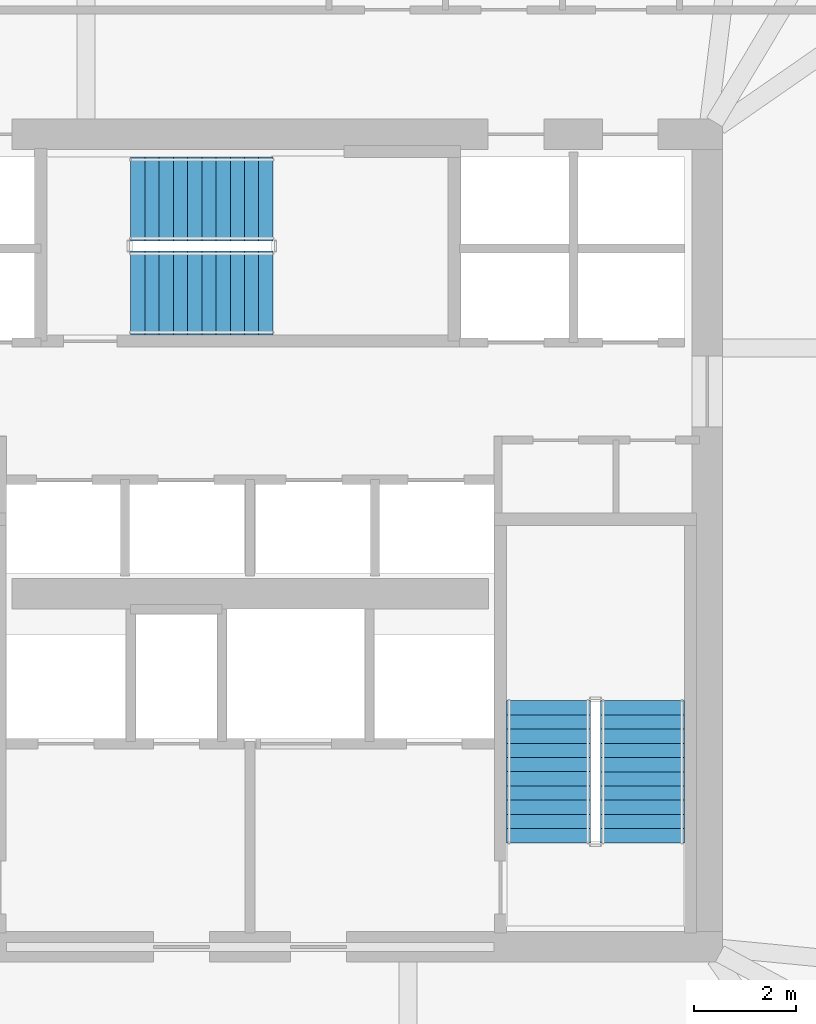
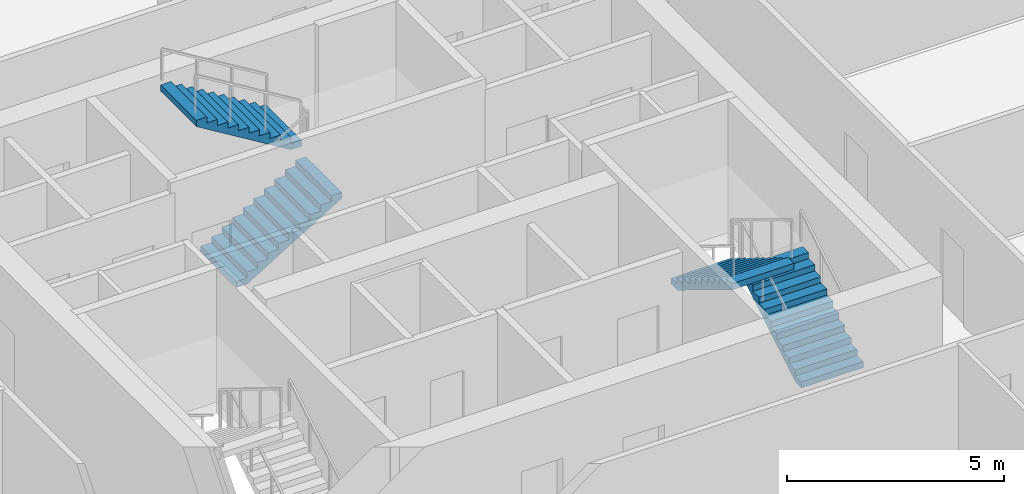
# One storey, part 29 of 34: 4 stair flights, 2 elements without a shape of their own.
"""IFC4 building model written with IfcOpenShell, lengths in metres."""

from ifc_helpers import new_model, si_unit, direction, frame, origin, place, context, subcontext, project, spatial, polyline, outline, extrude, material, type_object, element, aggregate, save


model = new_model("IFC4")

# Units and contexts
model_context = context("Model", 3, precision=1e-05, world=origin(), true_north=direction((0.0, 1.0)))
body_context = subcontext(model_context, "Body", "Model", "MODEL_VIEW")
ifc_project = project(units=[si_unit("LENGTHUNIT", "METRE"), si_unit("AREAUNIT", "SQUARE_METRE"), si_unit("VOLUMEUNIT", "CUBIC_METRE"), si_unit("PLANEANGLEUNIT", "RADIAN"), si_unit("MASSUNIT", "GRAM", prefix="KILO")], contexts=[model_context])

# Site, building, storey
site_placement = place(None, origin())
site = spatial("IfcSite", under=ifc_project, at=site_placement, CompositionType="ELEMENT")
building_placement = place(site_placement, origin())
building = spatial("IfcBuilding", under=site, at=building_placement, Name="Haldenkirk Collegiate Tower", CompositionType="ELEMENT")
storey_placement = place(building_placement, frame((0.0, 0.0, 62.699951171875)))
storey = spatial("IfcBuildingStorey", under=building, at=storey_placement, Name="L14", CompositionType="ELEMENT", Elevation=62.699951171875)

# Stair, stair flights
ifc_material = material(Name="Concrete f'c 40 MPa", Category="concrete")
stair_type = type_object("IfcStairType", Name="STR-DOGLEG-1650", PredefinedType="HALF_TURN_STAIR", material=ifc_material)
stair_1_placement = place(storey_placement, origin())
stair_1 = element("IfcStair", 1, at=stair_1_placement, inside=storey, type_object=stair_type, Name="L14 Core Exit Stair ST-2", PredefinedType="HALF_TURN_STAIR")
stair_flight_type = type_object("IfcStairFlightType", Name="STF-FLIGHT-1650", PredefinedType="STRAIGHT", material=ifc_material)
stair_flight_1_placement = place(storey_placement, frame((43.72509765625, 20.050048828125, 0.0), z_axis=(0.0, 0.0, 1.0), x_axis=(0.0, 1.0, 0.0)))
stair_flight_1 = element("IfcStairFlight", 2, at=stair_flight_1_placement, type_object=stair_flight_type, Name="ST-2 flight 1", NumberOfRisers=11, NumberOfTreads=10, PredefinedType="STRAIGHT", RiserHeight=0.170454545, TreadLength=0.28, context=body_context, shape_type="SweptSolid", body=[
    extrude(outline(polyline([(0.0, 0.0), (0.0, 0.17041015625), (0.280029296875, 0.17041015625), (0.280029296875, 0.3408203125), (0.56005859375, 0.3408203125), (0.56005859375, 0.511474609375), (0.840087890625, 0.511474609375), (0.840087890625, 0.681884765625), (1.1201171875, 0.681884765625), (1.1201171875, 0.852294921875), (1.39990234375, 0.852294921875), (1.39990234375, 1.022705078125), (1.679931640625, 1.022705078125), (1.679931640625, 1.193115234375), (1.9599609375, 1.193115234375), (1.9599609375, 1.363525390625), (2.239990234375, 1.363525390625), (2.239990234375, 1.5341796875), (2.52001953125, 1.5341796875), (2.52001953125, 1.70458984375), (2.800048828125, 1.70458984375), (2.800048828125, 1.875), (2.800048828125, 1.529052734375), (0.288330078125, 0.0), (0.0, 0.0)])), frame((0.0, 0.824951171875, 0.0), z_axis=(0.0, -1.0, 0.0), x_axis=(1.0, 0.0, 0.0)), (0.0, 0.0, 1.0), 1.64990234375),
])
stair_flight_2_placement = place(storey_placement, frame((41.875, 22.85009765625, 1.875), z_axis=(0.0, 0.0, 1.0), x_axis=(0.0, -1.0, 0.0)))
stair_flight_2 = element("IfcStairFlight", 3, at=stair_flight_2_placement, type_object=stair_flight_type, Name="ST-2 flight 2", NumberOfRisers=11, NumberOfTreads=10, PredefinedType="STRAIGHT", RiserHeight=0.170454545, TreadLength=0.28, context=body_context, shape_type="SweptSolid", body=[
    extrude(outline(polyline([(0.0, 0.0), (0.0, 0.17041015625), (0.280029296875, 0.17041015625), (0.280029296875, 0.3408203125), (0.56005859375, 0.3408203125), (0.56005859375, 0.511474609375), (0.840087890625, 0.511474609375), (0.840087890625, 0.681884765625), (1.1201171875, 0.681884765625), (1.1201171875, 0.852294921875), (1.39990234375, 0.852294921875), (1.39990234375, 1.022705078125), (1.679931640625, 1.022705078125), (1.679931640625, 1.193115234375), (1.9599609375, 1.193115234375), (1.9599609375, 1.363525390625), (2.239990234375, 1.363525390625), (2.239990234375, 1.5341796875), (2.52001953125, 1.5341796875), (2.52001953125, 1.70458984375), (2.800048828125, 1.70458984375), (2.800048828125, 1.875), (2.800048828125, 1.529052734375), (0.288330078125, 0.0), (0.0, 0.0)])), frame((0.0, 0.824951171875, 0.0), z_axis=(0.0, -1.0, 0.0), x_axis=(1.0, 0.0, 0.0)), (0.0, 0.0, 1.0), 1.64990234375),
])
aggregate(stair_1, [stair_flight_1, stair_flight_2])

stair_2_placement = place(storey_placement, origin())
stair_2 = element("IfcStair", 4, at=stair_2_placement, inside=storey, type_object=stair_type, Name="L14 Core Exit Stair ST-3", PredefinedType="HALF_TURN_STAIR")
stair_flight_3_placement = place(storey_placement, frame((33.64990234375, 30.875, 0.0), z_axis=(0.0, 0.0, 1.0), x_axis=(1.0, 0.0, 0.0)))
stair_flight_3 = element("IfcStairFlight", 5, at=stair_flight_3_placement, type_object=stair_flight_type, Name="ST-3 flight 1", NumberOfRisers=11, NumberOfTreads=10, PredefinedType="STRAIGHT", RiserHeight=0.170454545, TreadLength=0.28, context=body_context, shape_type="SweptSolid", body=[
    extrude(outline(polyline([(0.0, 0.0), (0.0, 0.17041015625), (0.280029296875, 0.17041015625), (0.280029296875, 0.3408203125), (0.56005859375, 0.3408203125), (0.56005859375, 0.511474609375), (0.840087890625, 0.511474609375), (0.840087890625, 0.681884765625), (1.1201171875, 0.681884765625), (1.1201171875, 0.852294921875), (1.39990234375, 0.852294921875), (1.39990234375, 1.022705078125), (1.679931640625, 1.022705078125), (1.679931640625, 1.193115234375), (1.9599609375, 1.193115234375), (1.9599609375, 1.363525390625), (2.239990234375, 1.363525390625), (2.239990234375, 1.5341796875), (2.52001953125, 1.5341796875), (2.52001953125, 1.70458984375), (2.800048828125, 1.70458984375), (2.800048828125, 1.875), (2.800048828125, 1.529052734375), (0.288330078125, 0.0), (0.0, 0.0)])), frame((0.0, 0.824951171875, 0.0), z_axis=(0.0, -1.0, 0.0), x_axis=(1.0, 0.0, 0.0)), (0.0, 0.0, 1.0), 1.64990234375),
])
stair_flight_4_placement = place(storey_placement, frame((36.449951171875, 32.72509765625, 1.875), z_axis=(0.0, 0.0, 1.0), x_axis=(-1.0, 0.0, 0.0)))
stair_flight_4 = element("IfcStairFlight", 6, at=stair_flight_4_placement, type_object=stair_flight_type, Name="ST-3 flight 2", NumberOfRisers=11, NumberOfTreads=10, PredefinedType="STRAIGHT", RiserHeight=0.170454545, TreadLength=0.28, context=body_context, shape_type="SweptSolid", body=[
    extrude(outline(polyline([(0.0, 0.0), (0.0, 0.17041015625), (0.280029296875, 0.17041015625), (0.280029296875, 0.3408203125), (0.56005859375, 0.3408203125), (0.56005859375, 0.511474609375), (0.840087890625, 0.511474609375), (0.840087890625, 0.681884765625), (1.1201171875, 0.681884765625), (1.1201171875, 0.852294921875), (1.39990234375, 0.852294921875), (1.39990234375, 1.022705078125), (1.679931640625, 1.022705078125), (1.679931640625, 1.193115234375), (1.9599609375, 1.193115234375), (1.9599609375, 1.363525390625), (2.239990234375, 1.363525390625), (2.239990234375, 1.5341796875), (2.52001953125, 1.5341796875), (2.52001953125, 1.70458984375), (2.800048828125, 1.70458984375), (2.800048828125, 1.875), (2.800048828125, 1.529052734375), (0.288330078125, 0.0), (0.0, 0.0)])), frame((0.0, 0.824951171875, 0.0), z_axis=(0.0, -1.0, 0.0), x_axis=(1.0, 0.0, 0.0)), (0.0, 0.0, 1.0), 1.64990234375),
])
aggregate(stair_2, [stair_flight_3, stair_flight_4])

save(model, "model.ifc")
